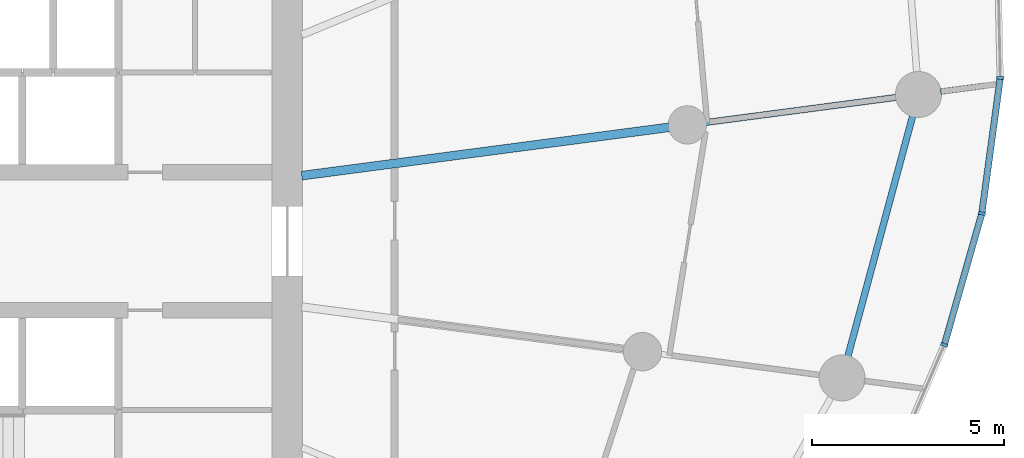
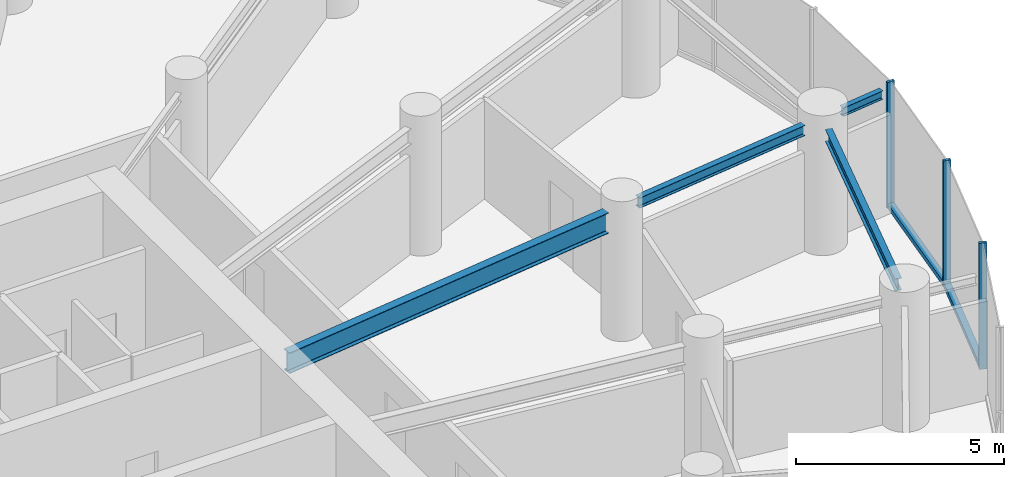
# One storey, part 5 of 17: 5 members, 4 beams, 2 elements without a shape of their own.
"""IFC4 building model written with IfcOpenShell, lengths in metres."""

from ifc_helpers import new_model, si_unit, direction, frame, origin, origin_2d, place, context, subcontext, project, spatial, rectangle, i_section, extrude, source, transform, mapped, material, layer, layer_set, material_profile, profile_set, type_object, element, aggregate, save


model = new_model("IFC4")

# Units and contexts
model_context = context("Model", 3, precision=1e-05, world=origin(), true_north=direction((0.0, 1.0)))
body_context = subcontext(model_context, "Body", "Model", "MODEL_VIEW")
ifc_project = project(units=[si_unit("LENGTHUNIT", "METRE"), si_unit("AREAUNIT", "SQUARE_METRE"), si_unit("VOLUMEUNIT", "CUBIC_METRE"), si_unit("PLANEANGLEUNIT", "RADIAN"), si_unit("MASSUNIT", "GRAM", prefix="KILO")], contexts=[model_context])

# Site, building, storey
site_placement = place(None, origin())
site = spatial("IfcSite", under=ifc_project, at=site_placement, CompositionType="ELEMENT")
building_placement = place(site_placement, origin())
building = spatial("IfcBuilding", under=site, at=building_placement, Name="Spindrift Exchange Tower", CompositionType="ELEMENT")
storey_placement = place(building_placement, frame((0.0, 0.0, 108.5)))
storey = spatial("IfcBuildingStorey", under=building, at=storey_placement, Name="L25", CompositionType="ELEMENT", Elevation=108.5)

# Beams
ifc_material_1 = material(Name="Steel Grade 300", Category="steel")
ifc_material_profile_1 = material_profile(ifc_material_1, i_section(OverallWidth=0.22802734375, OverallDepth=0.60693359375, WebThickness=0.01123046875, FlangeThickness=0.017333984375, FilletRadius=0.013916015625, at=origin_2d()), Name="610UB113")
ifc_profile_set_1 = profile_set([ifc_material_profile_1], Name="Steel Grade 300")
beam_type_1 = type_object("IfcBeamType", Name="Floor Beam 610UB113 Steel Grade 300", PredefinedType="BEAM", material=ifc_profile_set_1)
shared_shape_1 = source(origin(), body_context, "Body", "SweptSolid", [
    extrude(i_section(OverallWidth=0.22802734375, OverallDepth=0.60693359375, WebThickness=0.01123046875, FlangeThickness=0.017333984375, FilletRadius=0.013916015625, at=origin_2d()), origin(), (0.0, 0.0, 1.0), 9.660400390625),
])
beam_1_placement = place(storey_placement, frame((64.980224609375, 49.708984375, 3.396484375), z_axis=(0.99144767089, 0.130504850054, 0.0), x_axis=(-0.130504850054, 0.99144767089, 0.0)))
element("IfcBeam", 1, at=beam_1_placement, inside=storey, type_object=beam_type_1, Name="L25 radial beam R01A", PredefinedType="BEAM", context=body_context, shape_type="MappedRepresentation", body=[
    mapped(shared_shape_1, transform((0.0, 0.0, 0.0), scale=1.0)),
])
ifc_material_profile_2 = material_profile(ifc_material_1, i_section(OverallWidth=0.1650390625, OverallDepth=0.303955078125, WebThickness=0.006103515625, FlangeThickness=0.01025390625, FilletRadius=0.011474609375, at=origin_2d()), Name="310UB40.4")
ifc_profile_set_2 = profile_set([ifc_material_profile_2], Name="Steel Grade 300")
beam_type_2 = type_object("IfcBeamType", Name="Floor Beam 310UB40.4 Steel Grade 300", PredefinedType="BEAM", material=ifc_profile_set_2)
shared_shape_2 = source(origin(), body_context, "Body", "SweptSolid", [
    extrude(i_section(OverallWidth=0.1650390625, OverallDepth=0.303955078125, WebThickness=0.006103515625, FlangeThickness=0.01025390625, FilletRadius=0.011474609375, at=origin_2d()), origin(), (0.0, 0.0, 1.0), 5.014404296875),
])
beam_2_placement = place(storey_placement, frame((75.509765625, 51.09521484375, 3.548095703125), z_axis=(0.99145015202, 0.13048599948, 0.0), x_axis=(-0.13048599948, 0.99145015202, 0.0)))
element("IfcBeam", 2, at=beam_2_placement, inside=storey, type_object=beam_type_2, Name="L25 radial beam R01B", PredefinedType="BEAM", context=body_context, shape_type="MappedRepresentation", body=[
    mapped(shared_shape_2, transform((0.0, 0.0, 0.0), scale=1.0)),
])
ifc_material_profile_3 = material_profile(ifc_material_1, i_section(OverallWidth=0.172119140625, OverallDepth=0.35888671875, WebThickness=0.008056640625, FlangeThickness=0.012939453125, FilletRadius=0.013916015625, at=origin_2d()), Name="360UB56.7")
ifc_profile_set_3 = profile_set([ifc_material_profile_3], Name="Steel Grade 300")
beam_type_3 = type_object("IfcBeamType", Name="Edge Beam 360UB56.7 Steel Grade 300", PredefinedType="SPANDREL", material=ifc_profile_set_3)
shared_shape_3 = source(origin(), body_context, "Body", "SweptSolid", [
    extrude(i_section(OverallWidth=0.172119140625, OverallDepth=0.35888671875, WebThickness=0.008056640625, FlangeThickness=0.012939453125, FilletRadius=0.013916015625, at=origin_2d()), origin(), (0.0, 0.0, 1.0), 6.4921875),
])
beam_3_placement = place(storey_placement, frame((79.215576171875, 44.996826171875, 3.5205078125), z_axis=(0.260262058381, 0.965538016324, 0.0), x_axis=(-0.965538016324, 0.260262058381, 0.0)))
element("IfcBeam", 3, at=beam_3_placement, inside=storey, type_object=beam_type_3, Name="L25 edge beam E24", PredefinedType="SPANDREL", context=body_context, shape_type="MappedRepresentation", body=[
    mapped(shared_shape_3, transform((0.0, 0.0, 0.0), scale=1.0)),
])
ifc_material_profile_4 = material_profile(ifc_material_1, i_section(OverallWidth=0.14599609375, OverallDepth=0.251953125, WebThickness=0.006103515625, FlangeThickness=0.008544921875, FilletRadius=0.011962890625, at=origin_2d()), Name="250UB31.4")
ifc_profile_set_4 = profile_set([ifc_material_profile_4], Name="Steel Grade 300")
beam_type_4 = type_object("IfcBeamType", Name="Cantilever Beam 250UB31.4 Steel Grade 300", PredefinedType="BEAM", material=ifc_profile_set_4)
shared_shape_4 = source(origin(), body_context, "Body", "SweptSolid", [
    extrude(i_section(OverallWidth=0.14599609375, OverallDepth=0.251953125, WebThickness=0.006103515625, FlangeThickness=0.008544921875, FilletRadius=0.011962890625, at=origin_2d()), origin(), (0.0, 0.0, 1.0), 1.197998046875),
])
beam_4_placement = place(storey_placement, frame((81.63134765625, 51.90087890625, 3.573974609375), z_axis=(0.991431390482, 0.130628473032, 0.0), x_axis=(-0.130628473032, 0.991431390482, 0.0)))
element("IfcBeam", 4, at=beam_4_placement, inside=storey, type_object=beam_type_4, Name="L25 cantilever beam R01T", PredefinedType="BEAM", context=body_context, shape_type="MappedRepresentation", body=[
    mapped(shared_shape_4, transform((0.0, 0.0, 0.0), scale=1.0)),
])

# Curtain wall, members
ifc_material_2 = material(Name="Fritted laminated glass with bronze frame", Category="glass")
ifc_layer = layer(ifc_material_2, 0.18994140625)
ifc_layer_set = layer_set([ifc_layer], Name="ZONE 2 BRONZE FRITTED WALL")
curtain_wall_type = type_object("IfcCurtainWallType", Name="ZONE 2 BRONZE FRITTED WALL", PredefinedType="NOTDEFINED", material=ifc_layer_set)
curtain_wall_1_placement = place(storey_placement, origin())
curtain_wall_1 = element("IfcCurtainWall", 5, at=curtain_wall_1_placement, inside=storey, type_object=curtain_wall_type, Name="L25 Zone 2 Bronze Fritted Wall run 8", PredefinedType="NOTDEFINED")
ifc_material_3 = material(Name="Bronze anodised aluminium", Category="aluminium")
ifc_material_profile_5 = material_profile(ifc_material_3, rectangle(XDim=0.074951171875, YDim=0.18994140625, at=origin_2d()), Name="ZONE 2 BRONZE FRITTED WALL MULLION 75X190")
ifc_profile_set_5 = profile_set([ifc_material_profile_5], Name="Bronze anodised aluminium")
member_type_1 = type_object("IfcMemberType", Name="ZONE 2 BRONZE FRITTED WALL MULLION 75X190", PredefinedType="MULLION", material=ifc_profile_set_5)
shared_shape_5 = source(origin(), body_context, "Body", "SweptSolid", [
    extrude(rectangle(XDim=0.074951171875, YDim=0.18994140625, at=origin_2d()), origin(), (0.0, 0.0, 1.0), 3.699951171875),
])
member_1_placement = place(storey_placement, frame((81.729736328125, 45.297119140625, 0.0), z_axis=(0.0, 0.0, 1.0), x_axis=(0.335756778529, 0.941948717113, 0.0)))
member_1 = element("IfcMember", 6, at=member_1_placement, type_object=member_type_1, Name="L25 mullion CW-2.47", PredefinedType="MULLION", context=body_context, shape_type="MappedRepresentation", body=[
    mapped(shared_shape_5, transform((0.0, 0.0, 0.0), scale=1.0)),
])
member_2_placement = place(storey_placement, frame((82.7080078125, 48.725341796875, 0.0), z_axis=(0.0, 0.0, 1.0), x_axis=(0.20510287102, 0.978740421307, 0.0)))
member_2 = element("IfcMember", 7, at=member_2_placement, type_object=member_type_1, Name="L25 mullion CW-2.48", PredefinedType="MULLION", context=body_context, shape_type="MappedRepresentation", body=[
    mapped(shared_shape_5, transform((0.0, 0.0, 0.0), scale=1.0)),
])

# Curtain wall, member
curtain_wall_2_placement = place(storey_placement, origin())
curtain_wall_2 = element("IfcCurtainWall", 8, at=curtain_wall_2_placement, inside=storey, type_object=curtain_wall_type, Name="L25 Zone 2 Bronze Fritted Wall run 9", PredefinedType="NOTDEFINED")
member_3_placement = place(storey_placement, frame((83.1884765625, 52.257080078125, 0.0), z_axis=(0.0, 0.0, 1.0), x_axis=(0.056592977875, 0.998397333157, 0.0)))
member_3 = element("IfcMember", 9, at=member_3_placement, type_object=member_type_1, Name="L25 mullion CW-2.49", PredefinedType="MULLION", context=body_context, shape_type="MappedRepresentation", body=[
    mapped(shared_shape_5, transform((0.0, 0.0, 0.0), scale=1.0)),
])
aggregate(curtain_wall_2, [member_3])

# Member
ifc_material_profile_6 = material_profile(ifc_material_3, rectangle(XDim=0.169921875, YDim=0.139892578125, at=origin_2d()), Name="ZONE 2 BRONZE FRITTED WALL TRANSOM 170X140")
ifc_profile_set_6 = profile_set([ifc_material_profile_6], Name="Bronze anodised aluminium")
member_type_2 = type_object("IfcMemberType", Name="ZONE 2 BRONZE FRITTED WALL TRANSOM 170X140", PredefinedType="USERDEFINED", material=ifc_profile_set_6)
shared_shape_6 = source(origin(), body_context, "Body", "SweptSolid", [
    extrude(rectangle(XDim=0.169921875, YDim=0.139892578125, at=origin_2d()), origin(), (0.0, 0.0, 1.0), 3.489501953125),
])
member_4_placement = place(storey_placement, frame((82.712890625, 48.762451171875, 0.070068359375), z_axis=(0.134825952142, 0.990869296441, 0.0), x_axis=(-0.990869296441, 0.134825952142, 0.0)))
member_4 = element("IfcMember", 10, at=member_4_placement, type_object=member_type_2, Name="L25 transom CW-2.48", ObjectType="TRANSOM", PredefinedType="USERDEFINED", context=body_context, shape_type="MappedRepresentation", body=[
    mapped(shared_shape_6, transform((0.0, 0.0, 0.0), scale=1.0)),
])

shared_shape_7 = source(origin(), body_context, "Body", "SweptSolid", [
    extrude(rectangle(XDim=0.169921875, YDim=0.139892578125, at=origin_2d()), origin(), (0.0, 0.0, 1.0), 3.490234375),
])
member_5_placement = place(storey_placement, frame((81.739990234375, 45.3330078125, 0.070068359375), z_axis=(0.274351550132, 0.961629464472, 0.0), x_axis=(-0.961629464472, 0.274351550132, 0.0)))
member_5 = element("IfcMember", 11, at=member_5_placement, type_object=member_type_2, Name="L25 transom CW-2.47", ObjectType="TRANSOM", PredefinedType="USERDEFINED", context=body_context, shape_type="MappedRepresentation", body=[
    mapped(shared_shape_7, transform((0.0, 0.0, 0.0), scale=1.0)),
])

aggregate(curtain_wall_1, [member_1, member_5, member_2, member_4])

save(model, "model.ifc")
